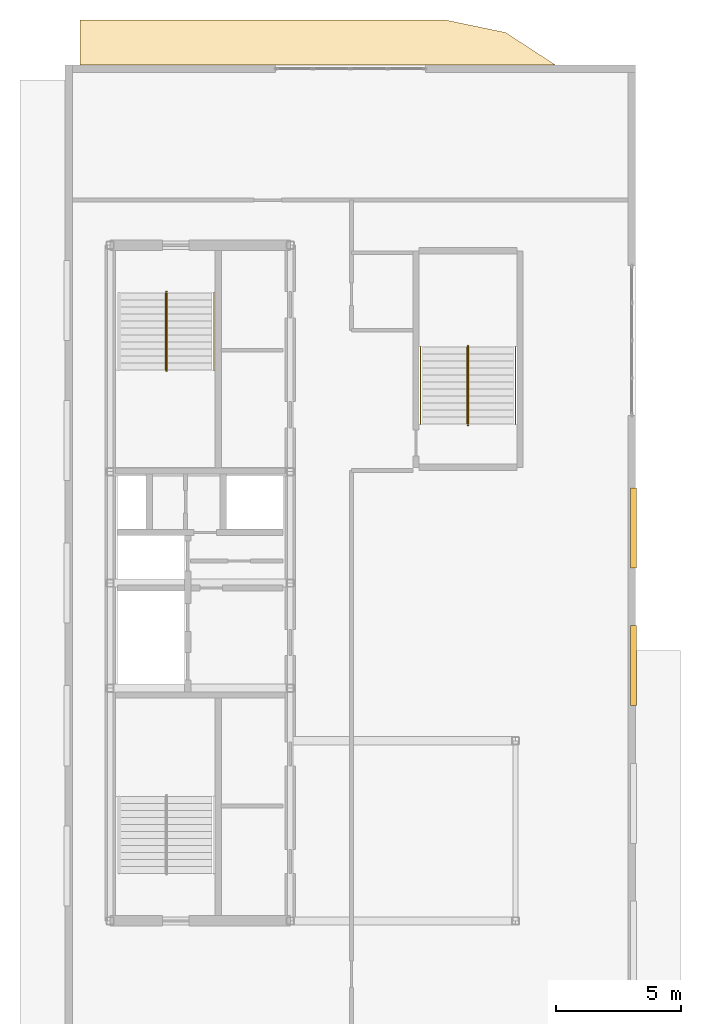
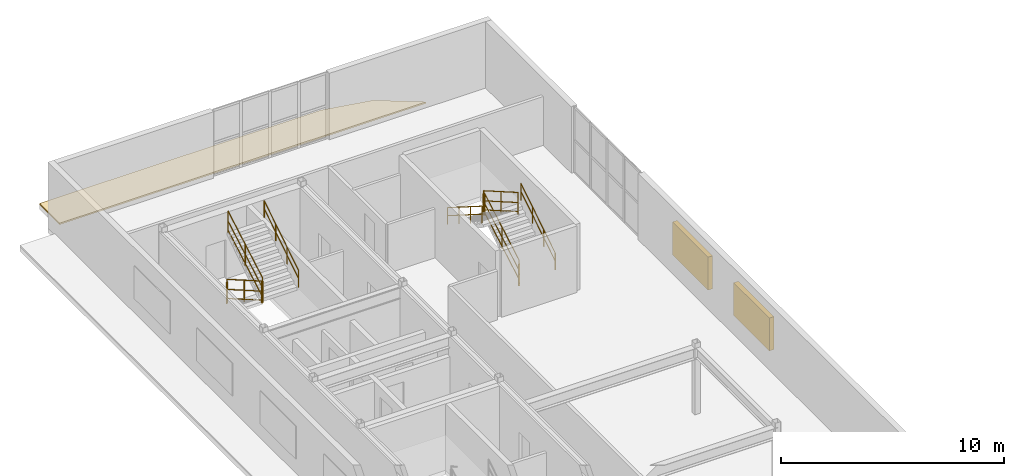
# One storey, part 9 of 9: 11 railings, 2 shading devices, 1 covering.
"""IFC4 building model written with IfcOpenShell, lengths in metres."""

import ifcopenshell
import ifcopenshell.guid

model = None  # the IFC model being written
_history = None  # IfcOwnerHistory: only IFC2X3 demands one
_inside = {}  # id of a spatial element -> (the spatial element, [elements in it])
_under = {}  # id of a project, library or spatial element -> (it, [spatial elements below it])
_declared = {}  # id of a project -> (the project, [libraries it declares])
_typed = {}  # id of a type object -> (the type object, [elements of that type])
_made_of = {}  # id of a material, layer set ... -> (it, [elements and type objects made of it])


def new_model(schema):
    """Start an empty IFC model of exactly this schema.

    Asked for "IFC4X3", IfcOpenShell would pick the latest addendum, in which some entities
    have other attributes; the version numbers below select the first issue.
    IFC2X3 requires an IfcOwnerHistory on every rooted entity: one is made here for all.
    """
    global model, _history
    if schema == "IFC4X3":
        model = ifcopenshell.file(schema_version=(4, 3, 0, 0))
    else:
        model = ifcopenshell.file(schema=schema)
    _inside.clear()
    _under.clear()
    _declared.clear()
    _typed.clear()
    _made_of.clear()
    _history = None
    if model.schema == "IFC2X3":
        org = make("IfcOrganization", Name="unknown")
        user = make(
            "IfcPersonAndOrganization",
            ThePerson=make("IfcPerson", FamilyName="unknown"),
            TheOrganization=org,
        )
        app = make(
            "IfcApplication",
            ApplicationDeveloper=org,
            Version="unknown",
            ApplicationFullName="unknown",
            ApplicationIdentifier="unknown",
        )
        _history = make(
            "IfcOwnerHistory",
            OwningUser=user,
            OwningApplication=app,
            ChangeAction="ADDED",
            CreationDate=0,
        )
    return model


def make(cls, **values):
    """One entity of the class cls with the attributes given. An attribute that is None is left unset."""
    return model.create_entity(
        cls, **{name: value for name, value in values.items() if value is not None}
    )


def entity(cls, *values):
    """Any entity or typed value of the class cls, its attributes in the order of the schema. None: left unset."""
    e = model.create_entity(cls)
    for i, value in enumerate(values):
        if value is not None:
            e[i] = value
    return e


def rooted(cls, **values):
    """An entity with a GlobalId (a new one), such as an element, a storey or a relation."""
    return make(cls, GlobalId=ifcopenshell.guid.new(), OwnerHistory=_history, **values)


def si_unit(unit_type, name, prefix=None):
    """IfcSIUnit, for example si_unit("LENGTHUNIT", "METRE", prefix="MILLI")."""
    return make("IfcSIUnit", UnitType=unit_type, Prefix=prefix, Name=name)


def converted_unit(unit_type, name, factor, base, dimensions=None, offset=None):
    """IfcConversionBasedUnit, such as the inch: factor (a typed value) times the base unit."""
    return make(
        "IfcConversionBasedUnit"
        if offset is None
        else "IfcConversionBasedUnitWithOffset",
        ConversionOffset=offset,
        Dimensions=None
        if dimensions is None
        else entity("IfcDimensionalExponents", *dimensions),
        UnitType=unit_type,
        Name=name,
        ConversionFactor=make(
            "IfcMeasureWithUnit", ValueComponent=factor, UnitComponent=base
        ),
    )


def assignment(units):
    """IfcUnitAssignment: the units of a project."""
    return None if units is None else make("IfcUnitAssignment", Units=units)


def point(xyz):
    """IfcCartesianPoint."""
    return None if xyz is None else make("IfcCartesianPoint", Coordinates=xyz)


def direction(xyz):
    """IfcDirection."""
    return None if xyz is None else make("IfcDirection", DirectionRatios=xyz)


def frame(location, z_axis=None, x_axis=None):
    """IfcAxis2Placement3D, a coordinate frame: its origin and axes. An axis left out is left unset."""
    return make(
        "IfcAxis2Placement3D",
        Location=point(location),
        Axis=direction(z_axis),
        RefDirection=direction(x_axis),
    )


def frame_2d(location, x_axis=None):
    """IfcAxis2Placement2D, a coordinate frame in the plane: its origin and x axis."""
    return make(
        "IfcAxis2Placement2D", Location=point(location), RefDirection=direction(x_axis)
    )


def origin_with_axes():
    """The frame at (0, 0, 0) with the z axis (0, 0, 1) and the x axis (1, 0, 0) written out."""
    return frame((0.0, 0.0, 0.0), z_axis=(0.0, 0.0, 1.0), x_axis=(1.0, 0.0, 0.0))


def origin_2d_with_axis():
    """The frame at (0, 0) in the plane with the x axis (1, 0) written out."""
    return frame_2d((0.0, 0.0), x_axis=(1.0, 0.0))


def place(relative_to, where):
    """IfcLocalPlacement: puts the frame where relative to a parent placement (None: the world)."""
    return make(
        "IfcLocalPlacement", PlacementRelTo=relative_to, RelativePlacement=where
    )


def context(
    kind, dimensions, precision=None, world=None, true_north=None, identifier=None
):
    """IfcGeometricRepresentationContext, for example the 3D "Model" context."""
    return make(
        "IfcGeometricRepresentationContext",
        ContextIdentifier=identifier,
        ContextType=kind,
        CoordinateSpaceDimension=dimensions,
        Precision=precision,
        WorldCoordinateSystem=world,
        TrueNorth=true_north,
    )


def subcontext(parent, identifier, kind, view, scale=None):
    """IfcGeometricRepresentationSubContext, for example "Body" below "Model"."""
    return make(
        "IfcGeometricRepresentationSubContext",
        ContextIdentifier=identifier,
        ContextType=kind,
        ParentContext=parent,
        TargetScale=scale,
        TargetView=view,
    )


def project(units=None, contexts=None):
    """IfcProject with its units and contexts."""
    return rooted(
        "IfcProject",
        Name="project",
        RepresentationContexts=contexts,
        UnitsInContext=assignment(units),
    )


def spatial(cls, under=None, at=None, **own):
    """A site, building, storey or space (cls), placed at a placement, below another one or the project."""
    s = rooted(cls, ObjectPlacement=at, **own)
    if under is not None:
        _under.setdefault(under.id(), (under, []))[1].append(s)
    return s


def polyline(points):
    """IfcPolyline through the points."""
    return make("IfcPolyline", Points=[point(p) for p in points])


def profile(cls, at=None, kind="AREA", **sizes):
    """A parametric profile (cls). Its sizes go by their IFC names, for example OverallWidth=200.0."""
    return make(cls, ProfileType=kind, Position=at, **sizes)


def rectangle(**sizes):
    """IfcRectangleProfileDef."""
    return profile("IfcRectangleProfileDef", **sizes)


def circle(**sizes):
    """IfcCircleProfileDef."""
    return profile("IfcCircleProfileDef", **sizes)


def outline(outer, holes=None, kind="AREA"):
    """IfcArbitraryClosedProfileDef: a profile drawn as a closed curve; with holes, ...WithVoids."""
    if holes is None:
        return make("IfcArbitraryClosedProfileDef", ProfileType=kind, OuterCurve=outer)
    return make(
        "IfcArbitraryProfileDefWithVoids",
        ProfileType=kind,
        OuterCurve=outer,
        InnerCurves=holes,
    )


def extrude(swept, where, along, depth):
    """IfcExtrudedAreaSolid: the profile swept, set in the frame where, extruded along a direction by depth."""
    return make(
        "IfcExtrudedAreaSolid",
        SweptArea=swept,
        Position=where,
        ExtrudedDirection=direction(along),
        Depth=depth,
    )


def shape(context_of_items, identifier, shape_type, items):
    """IfcShapeRepresentation: the items that make up one representation, for example the "Body"."""
    return make(
        "IfcShapeRepresentation",
        ContextOfItems=context_of_items,
        RepresentationIdentifier=identifier,
        RepresentationType=shape_type,
        Items=items,
    )


def material(Name=None, Category=None):
    """IfcMaterial."""
    return make("IfcMaterial", Name=Name, Category=Category)


def layer(
    of_material, thickness, ventilated=None, Name=None, Category=None, Priority=None
):
    """IfcMaterialLayer: one layer of a wall or slab, of a material (None: an air gap)."""
    return make(
        "IfcMaterialLayer",
        Material=of_material,
        LayerThickness=thickness,
        IsVentilated=ventilated,
        Name=Name,
        Category=Category,
        Priority=Priority,
    )


def layer_set(layers, Name=None):
    """IfcMaterialLayerSet."""
    return make("IfcMaterialLayerSet", MaterialLayers=layers, LayerSetName=Name)


def made_of(thing, what):
    """Note that an element or type object is made of a material, layer set ...; save() writes the relation."""
    if what is not None:
        _made_of.setdefault(what.id(), (what, []))[1].append(thing)
    return thing


def type_object(cls, material=None, **own):
    """A type object (cls), such as IfcWallType, which elements share."""
    return made_of(rooted(cls, **own), material)


def element(
    cls,
    number,
    at=None,
    inside=None,
    cuts=None,
    type_object=None,
    material=None,
    context=None,
    identifier="Body",
    shape_type=None,
    held_by="IfcProductDefinitionShape",
    body=None,
    shapes=None,
    **own,
):
    """One element of the class cls, such as IfcWall. Its Tag is "e" and its number.

    at: its placement. inside: the storey or other place that contains it. cuts: it is an
    opening in that element (IfcRelVoidsElement). A single representation is given by context,
    identifier, shape_type and body (its items); several are given by shapes. held_by: the class
    of the entity that holds the representations. save() writes the other relations.
    """
    e = rooted(cls, Tag="e%d" % number, ObjectPlacement=at, **own)
    if body is not None:
        shapes = [shape(context, identifier, shape_type, body)]
    if shapes is not None:
        e.Representation = make(held_by, Representations=shapes)
    if inside is not None:
        _inside.setdefault(inside.id(), (inside, []))[1].append(e)
    if cuts is not None:
        rooted(
            "IfcRelVoidsElement", RelatingBuildingElement=cuts, RelatedOpeningElement=e
        )
    if type_object is not None:
        _typed.setdefault(type_object.id(), (type_object, []))[1].append(e)
    return made_of(e, material)


def aggregate(whole, parts):
    """IfcRelAggregates: a whole, such as a stair, and the parts it consists of."""
    return rooted("IfcRelAggregates", RelatingObject=whole, RelatedObjects=parts)


def save(model, path):
    """Write the relations noted so far, then the file.

    IfcRelAggregates (storeys below a building ...), IfcRelContainedInSpatialStructure (elements
    in a storey), IfcRelDefinesByType, IfcRelAssociatesMaterial and IfcRelDeclares: one each for
    every whole, place, type object, material and project.
    """
    for whole, parts in _under.values():
        aggregate(whole, parts)
    for where, things in _inside.values():
        rooted(
            "IfcRelContainedInSpatialStructure",
            RelatedElements=things,
            RelatingStructure=where,
        )
    for kind, things in _typed.values():
        rooted("IfcRelDefinesByType", RelatedObjects=things, RelatingType=kind)
    for what, things in _made_of.values():
        rooted("IfcRelAssociatesMaterial", RelatedObjects=things, RelatingMaterial=what)
    for by, libraries in _declared.values():
        rooted("IfcRelDeclares", RelatingContext=by, RelatedDefinitions=libraries)
    model.write(path)


model = new_model("IFC4")

# Units and contexts
model_context = context("Model", 3, precision=1e-05, world=origin_with_axes(), true_north=direction((0.0, 1.0)))
body_context = subcontext(model_context, "Body", "Model", "MODEL_VIEW")
ifc_project = project(units=[si_unit("LENGTHUNIT", "METRE"), si_unit("AREAUNIT", "SQUARE_METRE"), si_unit("VOLUMEUNIT", "CUBIC_METRE"), converted_unit("PLANEANGLEUNIT", "DEGREE", entity("IfcPlaneAngleMeasure", 0.017453292519943295), si_unit("PLANEANGLEUNIT", "RADIAN"), dimensions=[0, 0, 0, 0, 0, 0, 0]), si_unit("MASSUNIT", "GRAM", prefix="KILO"), si_unit("THERMODYNAMICTEMPERATUREUNIT", "KELVIN")], contexts=[model_context])

# Site, building, storey
site_placement = place(None, origin_with_axes())
site = spatial("IfcSite", under=ifc_project, at=site_placement, CompositionType="ELEMENT")
building_placement = place(site_placement, origin_with_axes())
building = spatial("IfcBuilding", under=site, at=building_placement, Name="Varnlund Millrace Tower", CompositionType="ELEMENT")
storey_placement = place(building_placement, frame((0.0, 0.0, 308.7), z_axis=(0.0, 0.0, 1.0), x_axis=(1.0, 0.0, 0.0)))
storey = spatial("IfcBuildingStorey", under=building, at=storey_placement, Name="L76", CompositionType="ELEMENT", Elevation=308.7)

# Covering
ifc_material_1 = material(Name="Insulated EPDM waterproof roof membrane")
ifc_layer = layer(ifc_material_1, 0.12, Name="Insulated EPDM waterproof roof membrane")
ifc_layer_set = layer_set([ifc_layer], Name="Insulated EPDM waterproof roof membrane")
covering_type = type_object("IfcCoveringType", Name="Type-Roof-Membrane-120", PredefinedType="ROOFING", material=ifc_layer_set)
covering_placement = place(storey_placement, origin_with_axes())
element("IfcCovering", 1, at=covering_placement, inside=storey, type_object=covering_type, Name="Type-Roof-Membrane-120", PredefinedType="ROOFING", context=body_context, shape_type="SweptSolid", body=[
    extrude(outline(polyline([(10.2, 45.0), (29.2, 45.0), (27.2, 46.3), (24.8, 46.8), (10.2, 46.8), (10.2, 45.0)])), origin_with_axes(), (0.0, 0.0, 1.0), 0.08),
])

# Shading devices
ifc_material_2 = material(Name="Architectural bronze cold-climate intake louvre", Category="aluminium")
shading_device_type = type_object("IfcShadingDeviceType", Name="Type-Shade-CrownLouvre-JAL", PredefinedType="JALOUSIE", material=ifc_material_2)
for number, where, z_axis, x_axis, name in (
    (2, (32.32, 21.0, 0.9), (0.0, 0.0, 1.0), (0.0, 1.0, 0.0), "Type-Shade-CrownLouvre-JAL"),
    (3, (32.32, 26.5, 0.9), (0.0, 0.0, 1.0), (0.0, 1.0, 0.0), "Type-Shade-CrownLouvre-JAL"),
):
    element("IfcShadingDevice", number, at=place(storey_placement, frame(where, z_axis=z_axis, x_axis=x_axis)), inside=storey, type_object=shading_device_type, Name=name, PredefinedType="JALOUSIE", context=body_context, shape_type="SweptSolid", body=[
        extrude(rectangle(XDim=3.2, YDim=0.24, at=origin_2d_with_axis()), origin_with_axes(), (0.0, 0.0, 1.0), 1.8),
    ])

# Railings
ifc_material_3 = material(Name="Painted steel stair well balustrade guard", Category="steel")
railing_type_1 = type_object("IfcRailingType", Name="Type-StairGuard-1150", PredefinedType="GUARDRAIL", material=ifc_material_3)
railing_1_placement = place(storey_placement, frame((0.0, 0.0, -308.7), z_axis=(0.0, 0.0, 1.0), x_axis=(1.0, 0.0, 0.0)))
element("IfcRailing", 4, at=railing_1_placement, inside=storey, type_object=railing_type_1, Name="Type-StairGuard-1150", PredefinedType="GUARDRAIL", context=body_context, shape_type="SweptSolid", body=[
    extrude(circle(Radius=0.024, at=origin_2d_with_axis()), frame((13.625, 35.9, 310.027273), z_axis=(0.0, -0.866696, 0.498836), x_axis=(1.0, 0.0, 0.0)), (0.0, 0.0, 1.0), 3.553725),
    extrude(circle(Radius=0.024, at=origin_2d_with_axis()), frame((13.625, 35.9, 308.977273), z_axis=(0.0, -0.866696, 0.498836), x_axis=(1.0, 0.0, 0.0)), (0.0, 0.0, 1.0), 3.553725),
    extrude(circle(Radius=0.024, at=origin_2d_with_axis()), frame((13.625, 35.9, 309.475273), z_axis=(0.0, -0.866696, 0.498836), x_axis=(1.0, 0.0, 0.0)), (0.0, 0.0, 1.0), 3.553725),
    extrude(rectangle(XDim=0.04, YDim=0.04, at=origin_2d_with_axis()), frame((13.625, 35.9, 308.837273), z_axis=(0.0, 0.0, 1.0), x_axis=(1.0, 0.0, 0.0)), (0.0, 0.0, 1.0), 1.19),
    extrude(rectangle(XDim=0.04, YDim=0.04, at=origin_2d_with_axis()), frame((13.625, 34.36, 309.723636), z_axis=(0.0, 0.0, 1.0), x_axis=(1.0, 0.0, 0.0)), (0.0, 0.0, 1.0), 1.19),
    extrude(rectangle(XDim=0.04, YDim=0.04, at=origin_2d_with_axis()), frame((13.625, 32.82, 310.61), z_axis=(0.0, 0.0, 1.0), x_axis=(1.0, 0.0, 0.0)), (0.0, 0.0, 1.0), 1.19),
])
railing_2_placement = place(storey_placement, frame((0.0, 0.0, -308.7), z_axis=(0.0, 0.0, 1.0), x_axis=(1.0, 0.0, 0.0)))
element("IfcRailing", 5, at=railing_2_placement, inside=storey, type_object=railing_type_1, Name="Type-StairGuard-1150", PredefinedType="GUARDRAIL", context=body_context, shape_type="SweptSolid", body=[
    extrude(circle(Radius=0.024, at=origin_2d_with_axis()), frame((13.675, 32.77, 311.8), z_axis=(-1.0, 0.0, 0.0), x_axis=(0.0, -1.0, 0.0)), (0.0, 0.0, 1.0), 0.05),
    extrude(circle(Radius=0.024, at=origin_2d_with_axis()), frame((13.675, 32.77, 310.75), z_axis=(-1.0, 0.0, 0.0), x_axis=(0.0, -1.0, 0.0)), (0.0, 0.0, 1.0), 0.05),
    extrude(circle(Radius=0.024, at=origin_2d_with_axis()), frame((13.675, 32.77, 311.248), z_axis=(-1.0, 0.0, 0.0), x_axis=(0.0, -1.0, 0.0)), (0.0, 0.0, 1.0), 0.05),
    extrude(rectangle(XDim=0.04, YDim=0.04, at=origin_2d_with_axis()), frame((13.675, 32.77, 310.61), z_axis=(0.0, 0.0, 1.0), x_axis=(1.0, 0.0, 0.0)), (0.0, 0.0, 1.0), 1.19),
    extrude(rectangle(XDim=0.04, YDim=0.04, at=origin_2d_with_axis()), frame((13.625, 32.77, 310.61), z_axis=(0.0, 0.0, 1.0), x_axis=(1.0, 0.0, 0.0)), (0.0, 0.0, 1.0), 1.19),
])
railing_3_placement = place(storey_placement, frame((0.0, 0.0, -308.7), z_axis=(0.0, 0.0, 1.0), x_axis=(1.0, 0.0, 0.0)))
element("IfcRailing", 6, at=railing_3_placement, inside=storey, type_object=railing_type_1, Name="Type-StairGuard-1150", PredefinedType="GUARDRAIL", context=body_context, shape_type="SweptSolid", body=[
    extrude(circle(Radius=0.024, at=origin_2d_with_axis()), frame((13.675, 32.82, 311.977273), z_axis=(0.0, 0.866696, 0.498836), x_axis=(-1.0, 0.0, 0.0)), (0.0, 0.0, 1.0), 3.553725),
    extrude(circle(Radius=0.024, at=origin_2d_with_axis()), frame((13.675, 32.82, 310.927273), z_axis=(0.0, 0.866696, 0.498836), x_axis=(-1.0, 0.0, 0.0)), (0.0, 0.0, 1.0), 3.553725),
    extrude(circle(Radius=0.024, at=origin_2d_with_axis()), frame((13.675, 32.82, 311.425273), z_axis=(0.0, 0.866696, 0.498836), x_axis=(-1.0, 0.0, 0.0)), (0.0, 0.0, 1.0), 3.553725),
    extrude(rectangle(XDim=0.04, YDim=0.04, at=origin_2d_with_axis()), frame((13.675, 32.82, 310.787273), z_axis=(0.0, 0.0, 1.0), x_axis=(1.0, 0.0, 0.0)), (0.0, 0.0, 1.0), 1.19),
    extrude(rectangle(XDim=0.04, YDim=0.04, at=origin_2d_with_axis()), frame((13.675, 34.36, 311.673636), z_axis=(0.0, 0.0, 1.0), x_axis=(1.0, 0.0, 0.0)), (0.0, 0.0, 1.0), 1.19),
    extrude(rectangle(XDim=0.04, YDim=0.04, at=origin_2d_with_axis()), frame((13.675, 35.9, 312.56), z_axis=(0.0, 0.0, 1.0), x_axis=(1.0, 0.0, 0.0)), (0.0, 0.0, 1.0), 1.19),
])
railing_4_placement = place(storey_placement, frame((0.0, 0.0, -308.7), z_axis=(0.0, 0.0, 1.0), x_axis=(1.0, 0.0, 0.0)))
element("IfcRailing", 7, at=railing_4_placement, inside=storey, type_object=railing_type_1, Name="Type-StairGuard-1150", PredefinedType="GUARDRAIL", context=body_context, shape_type="SweptSolid", body=[
    extrude(circle(Radius=0.024, at=origin_2d_with_axis()), frame((13.675, 35.95, 309.85), z_axis=(-1.0, 0.0, 0.0), x_axis=(0.0, -1.0, 0.0)), (0.0, 0.0, 1.0), 0.05),
    extrude(circle(Radius=0.024, at=origin_2d_with_axis()), frame((13.675, 35.95, 308.8), z_axis=(-1.0, 0.0, 0.0), x_axis=(0.0, -1.0, 0.0)), (0.0, 0.0, 1.0), 0.05),
    extrude(circle(Radius=0.024, at=origin_2d_with_axis()), frame((13.675, 35.95, 309.298), z_axis=(-1.0, 0.0, 0.0), x_axis=(0.0, -1.0, 0.0)), (0.0, 0.0, 1.0), 0.05),
    extrude(rectangle(XDim=0.04, YDim=0.04, at=origin_2d_with_axis()), frame((13.675, 35.95, 308.66), z_axis=(0.0, 0.0, 1.0), x_axis=(1.0, 0.0, 0.0)), (0.0, 0.0, 1.0), 1.19),
    extrude(rectangle(XDim=0.04, YDim=0.04, at=origin_2d_with_axis()), frame((13.625, 35.95, 308.66), z_axis=(0.0, 0.0, 1.0), x_axis=(1.0, 0.0, 0.0)), (0.0, 0.0, 1.0), 1.19),
])
railing_5_placement = place(storey_placement, frame((0.0, 0.0, -308.7), z_axis=(0.0, 0.0, 1.0), x_axis=(1.0, 0.0, 0.0)))
element("IfcRailing", 8, at=railing_5_placement, inside=storey, type_object=railing_type_1, Name="Type-StairGuard-1150", PredefinedType="GUARDRAIL", context=body_context, shape_type="SweptSolid", body=[
    extrude(circle(Radius=0.024, at=origin_2d_with_axis()), frame((25.725, 30.65, 310.027273), z_axis=(0.0, 0.866696, 0.498836), x_axis=(-1.0, 0.0, 0.0)), (0.0, 0.0, 1.0), 3.553725),
    extrude(circle(Radius=0.024, at=origin_2d_with_axis()), frame((25.725, 30.65, 308.977273), z_axis=(0.0, 0.866696, 0.498836), x_axis=(-1.0, 0.0, 0.0)), (0.0, 0.0, 1.0), 3.553725),
    extrude(circle(Radius=0.024, at=origin_2d_with_axis()), frame((25.725, 30.65, 309.475273), z_axis=(0.0, 0.866696, 0.498836), x_axis=(-1.0, 0.0, 0.0)), (0.0, 0.0, 1.0), 3.553725),
    extrude(rectangle(XDim=0.04, YDim=0.04, at=origin_2d_with_axis()), frame((25.725, 30.65, 308.837273), z_axis=(0.0, 0.0, 1.0), x_axis=(1.0, 0.0, 0.0)), (0.0, 0.0, 1.0), 1.19),
    extrude(rectangle(XDim=0.04, YDim=0.04, at=origin_2d_with_axis()), frame((25.725, 32.19, 309.723636), z_axis=(0.0, 0.0, 1.0), x_axis=(1.0, 0.0, 0.0)), (0.0, 0.0, 1.0), 1.19),
    extrude(rectangle(XDim=0.04, YDim=0.04, at=origin_2d_with_axis()), frame((25.725, 33.73, 310.61), z_axis=(0.0, 0.0, 1.0), x_axis=(1.0, 0.0, 0.0)), (0.0, 0.0, 1.0), 1.19),
])
railing_6_placement = place(storey_placement, frame((0.0, 0.0, -308.7), z_axis=(0.0, 0.0, 1.0), x_axis=(1.0, 0.0, 0.0)))
element("IfcRailing", 9, at=railing_6_placement, inside=storey, type_object=railing_type_1, Name="Type-StairGuard-1150", PredefinedType="GUARDRAIL", context=body_context, shape_type="SweptSolid", body=[
    extrude(circle(Radius=0.024, at=origin_2d_with_axis()), frame((25.675, 33.78, 311.8), z_axis=(1.0, 0.0, 0.0), x_axis=(0.0, 1.0, 0.0)), (0.0, 0.0, 1.0), 0.05),
    extrude(circle(Radius=0.024, at=origin_2d_with_axis()), frame((25.675, 33.78, 310.75), z_axis=(1.0, 0.0, 0.0), x_axis=(0.0, 1.0, 0.0)), (0.0, 0.0, 1.0), 0.05),
    extrude(circle(Radius=0.024, at=origin_2d_with_axis()), frame((25.675, 33.78, 311.248), z_axis=(1.0, 0.0, 0.0), x_axis=(0.0, 1.0, 0.0)), (0.0, 0.0, 1.0), 0.05),
    extrude(rectangle(XDim=0.04, YDim=0.04, at=origin_2d_with_axis()), frame((25.675, 33.78, 310.61), z_axis=(0.0, 0.0, 1.0), x_axis=(1.0, 0.0, 0.0)), (0.0, 0.0, 1.0), 1.19),
    extrude(rectangle(XDim=0.04, YDim=0.04, at=origin_2d_with_axis()), frame((25.725, 33.78, 310.61), z_axis=(0.0, 0.0, 1.0), x_axis=(1.0, 0.0, 0.0)), (0.0, 0.0, 1.0), 1.19),
])
railing_7_placement = place(storey_placement, frame((0.0, 0.0, -308.7), z_axis=(0.0, 0.0, 1.0), x_axis=(1.0, 0.0, 0.0)))
element("IfcRailing", 10, at=railing_7_placement, inside=storey, type_object=railing_type_1, Name="Type-StairGuard-1150", PredefinedType="GUARDRAIL", context=body_context, shape_type="SweptSolid", body=[
    extrude(circle(Radius=0.024, at=origin_2d_with_axis()), frame((25.675, 33.73, 311.977273), z_axis=(0.0, -0.866696, 0.498836), x_axis=(1.0, 0.0, 0.0)), (0.0, 0.0, 1.0), 3.553725),
    extrude(circle(Radius=0.024, at=origin_2d_with_axis()), frame((25.675, 33.73, 310.927273), z_axis=(0.0, -0.866696, 0.498836), x_axis=(1.0, 0.0, 0.0)), (0.0, 0.0, 1.0), 3.553725),
    extrude(circle(Radius=0.024, at=origin_2d_with_axis()), frame((25.675, 33.73, 311.425273), z_axis=(0.0, -0.866696, 0.498836), x_axis=(1.0, 0.0, 0.0)), (0.0, 0.0, 1.0), 3.553725),
    extrude(rectangle(XDim=0.04, YDim=0.04, at=origin_2d_with_axis()), frame((25.675, 33.73, 310.787273), z_axis=(0.0, 0.0, 1.0), x_axis=(1.0, 0.0, 0.0)), (0.0, 0.0, 1.0), 1.19),
    extrude(rectangle(XDim=0.04, YDim=0.04, at=origin_2d_with_axis()), frame((25.675, 32.19, 311.673636), z_axis=(0.0, 0.0, 1.0), x_axis=(1.0, 0.0, 0.0)), (0.0, 0.0, 1.0), 1.19),
    extrude(rectangle(XDim=0.04, YDim=0.04, at=origin_2d_with_axis()), frame((25.675, 30.65, 312.56), z_axis=(0.0, 0.0, 1.0), x_axis=(1.0, 0.0, 0.0)), (0.0, 0.0, 1.0), 1.19),
])
railing_8_placement = place(storey_placement, frame((0.0, 0.0, -308.7), z_axis=(0.0, 0.0, 1.0), x_axis=(1.0, 0.0, 0.0)))
element("IfcRailing", 11, at=railing_8_placement, inside=storey, type_object=railing_type_1, Name="Type-StairGuard-1150", PredefinedType="GUARDRAIL", context=body_context, shape_type="SweptSolid", body=[
    extrude(circle(Radius=0.024, at=origin_2d_with_axis()), frame((25.675, 30.6, 309.85), z_axis=(1.0, 0.0, 0.0), x_axis=(0.0, 1.0, 0.0)), (0.0, 0.0, 1.0), 0.05),
    extrude(circle(Radius=0.024, at=origin_2d_with_axis()), frame((25.675, 30.6, 308.8), z_axis=(1.0, 0.0, 0.0), x_axis=(0.0, 1.0, 0.0)), (0.0, 0.0, 1.0), 0.05),
    extrude(circle(Radius=0.024, at=origin_2d_with_axis()), frame((25.675, 30.6, 309.298), z_axis=(1.0, 0.0, 0.0), x_axis=(0.0, 1.0, 0.0)), (0.0, 0.0, 1.0), 0.05),
    extrude(rectangle(XDim=0.04, YDim=0.04, at=origin_2d_with_axis()), frame((25.675, 30.6, 308.66), z_axis=(0.0, 0.0, 1.0), x_axis=(1.0, 0.0, 0.0)), (0.0, 0.0, 1.0), 1.19),
    extrude(rectangle(XDim=0.04, YDim=0.04, at=origin_2d_with_axis()), frame((25.725, 30.6, 308.66), z_axis=(0.0, 0.0, 1.0), x_axis=(1.0, 0.0, 0.0)), (0.0, 0.0, 1.0), 1.19),
])
ifc_material_4 = material(Name="Brushed architectural bronze stair handrail", Category="aluminium")
railing_type_2 = type_object("IfcRailingType", Name="Type-StairHandrail-900", PredefinedType="HANDRAIL", material=ifc_material_4)
railing_9_placement = place(storey_placement, frame((0.0, 0.0, -308.7), z_axis=(0.0, 0.0, 1.0), x_axis=(1.0, 0.0, 0.0)))
element("IfcRailing", 12, at=railing_9_placement, inside=storey, type_object=railing_type_2, Name="Type-StairHandrail-900", PredefinedType="HANDRAIL", context=body_context, shape_type="SweptSolid", body=[
    extrude(circle(Radius=0.024, at=origin_2d_with_axis()), frame((15.55, 32.82, 311.706995), z_axis=(0.0, 0.844902, 0.534922), x_axis=(-1.0, 0.0, 0.0)), (0.0, 0.0, 1.0), 3.645394),
    extrude(circle(Radius=0.024, at=origin_2d_with_axis()), frame((15.55, 32.82, 311.267134), z_axis=(0.0, 0.844902, 0.534922), x_axis=(-1.0, 0.0, 0.0)), (0.0, 0.0, 1.0), 3.645394),
    extrude(rectangle(XDim=0.04, YDim=0.04, at=origin_2d_with_axis()), frame((15.55, 32.82, 310.787273), z_axis=(0.0, 0.0, 1.0), x_axis=(1.0, 0.0, 0.0)), (0.0, 0.0, 1.0), 0.919722),
    extrude(rectangle(XDim=0.04, YDim=0.04, at=origin_2d_with_axis()), frame((15.55, 33.846667, 311.437273), z_axis=(0.0, 0.0, 1.0), x_axis=(1.0, 0.0, 0.0)), (0.0, 0.0, 1.0), 0.919722),
    extrude(rectangle(XDim=0.04, YDim=0.04, at=origin_2d_with_axis()), frame((15.55, 34.873333, 312.087273), z_axis=(0.0, 0.0, 1.0), x_axis=(1.0, 0.0, 0.0)), (0.0, 0.0, 1.0), 0.919722),
    extrude(rectangle(XDim=0.04, YDim=0.04, at=origin_2d_with_axis()), frame((15.55, 35.9, 312.737273), z_axis=(0.0, 0.0, 1.0), x_axis=(1.0, 0.0, 0.0)), (0.0, 0.0, 1.0), 0.919722),
])
railing_10_placement = place(storey_placement, frame((0.0, 0.0, -308.7), z_axis=(0.0, 0.0, 1.0), x_axis=(1.0, 0.0, 0.0)))
element("IfcRailing", 13, at=railing_10_placement, inside=storey, type_object=railing_type_2, Name="Type-StairHandrail-900", PredefinedType="HANDRAIL", context=body_context, shape_type="SweptSolid", body=[
    extrude(circle(Radius=0.024, at=origin_2d_with_axis()), frame((27.6, 30.65, 309.756995), z_axis=(0.0, 0.844902, 0.534922), x_axis=(-1.0, 0.0, 0.0)), (0.0, 0.0, 1.0), 3.645394),
    extrude(circle(Radius=0.024, at=origin_2d_with_axis()), frame((27.6, 30.65, 309.317134), z_axis=(0.0, 0.844902, 0.534922), x_axis=(-1.0, 0.0, 0.0)), (0.0, 0.0, 1.0), 3.645394),
    extrude(rectangle(XDim=0.04, YDim=0.04, at=origin_2d_with_axis()), frame((27.6, 30.65, 308.837273), z_axis=(0.0, 0.0, 1.0), x_axis=(1.0, 0.0, 0.0)), (0.0, 0.0, 1.0), 0.919722),
    extrude(rectangle(XDim=0.04, YDim=0.04, at=origin_2d_with_axis()), frame((27.6, 31.676667, 309.487273), z_axis=(0.0, 0.0, 1.0), x_axis=(1.0, 0.0, 0.0)), (0.0, 0.0, 1.0), 0.919722),
    extrude(rectangle(XDim=0.04, YDim=0.04, at=origin_2d_with_axis()), frame((27.6, 32.703333, 310.137273), z_axis=(0.0, 0.0, 1.0), x_axis=(1.0, 0.0, 0.0)), (0.0, 0.0, 1.0), 0.919722),
    extrude(rectangle(XDim=0.04, YDim=0.04, at=origin_2d_with_axis()), frame((27.6, 33.73, 310.787273), z_axis=(0.0, 0.0, 1.0), x_axis=(1.0, 0.0, 0.0)), (0.0, 0.0, 1.0), 0.919722),
])
railing_11_placement = place(storey_placement, frame((0.0, 0.0, -308.7), z_axis=(0.0, 0.0, 1.0), x_axis=(1.0, 0.0, 0.0)))
element("IfcRailing", 14, at=railing_11_placement, inside=storey, type_object=railing_type_2, Name="Type-StairHandrail-900", PredefinedType="HANDRAIL", context=body_context, shape_type="SweptSolid", body=[
    extrude(circle(Radius=0.024, at=origin_2d_with_axis()), frame((23.8, 33.73, 311.706995), z_axis=(0.0, -0.844902, 0.534922), x_axis=(1.0, 0.0, 0.0)), (0.0, 0.0, 1.0), 3.645394),
    extrude(circle(Radius=0.024, at=origin_2d_with_axis()), frame((23.8, 33.73, 311.267134), z_axis=(0.0, -0.844902, 0.534922), x_axis=(1.0, 0.0, 0.0)), (0.0, 0.0, 1.0), 3.645394),
    extrude(rectangle(XDim=0.04, YDim=0.04, at=origin_2d_with_axis()), frame((23.8, 33.73, 310.787273), z_axis=(0.0, 0.0, 1.0), x_axis=(1.0, 0.0, 0.0)), (0.0, 0.0, 1.0), 0.919722),
    extrude(rectangle(XDim=0.04, YDim=0.04, at=origin_2d_with_axis()), frame((23.8, 32.703333, 311.437273), z_axis=(0.0, 0.0, 1.0), x_axis=(1.0, 0.0, 0.0)), (0.0, 0.0, 1.0), 0.919722),
    extrude(rectangle(XDim=0.04, YDim=0.04, at=origin_2d_with_axis()), frame((23.8, 31.676667, 312.087273), z_axis=(0.0, 0.0, 1.0), x_axis=(1.0, 0.0, 0.0)), (0.0, 0.0, 1.0), 0.919722),
    extrude(rectangle(XDim=0.04, YDim=0.04, at=origin_2d_with_axis()), frame((23.8, 30.65, 312.737273), z_axis=(0.0, 0.0, 1.0), x_axis=(1.0, 0.0, 0.0)), (0.0, 0.0, 1.0), 0.919722),
])

save(model, "model.ifc")
